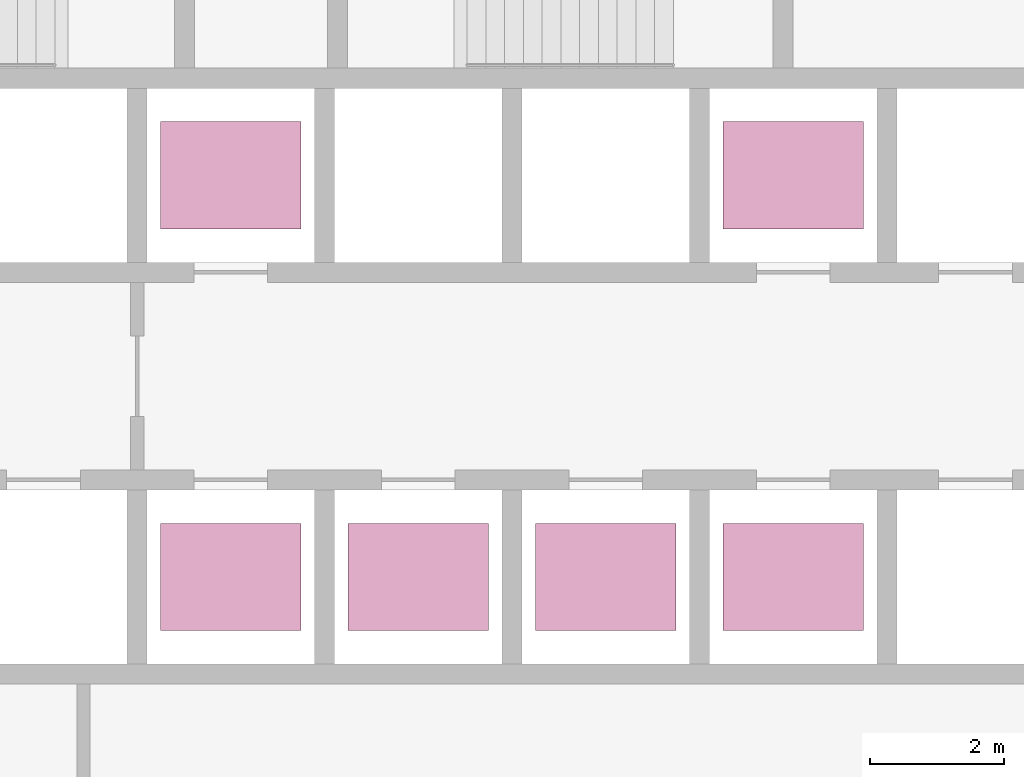
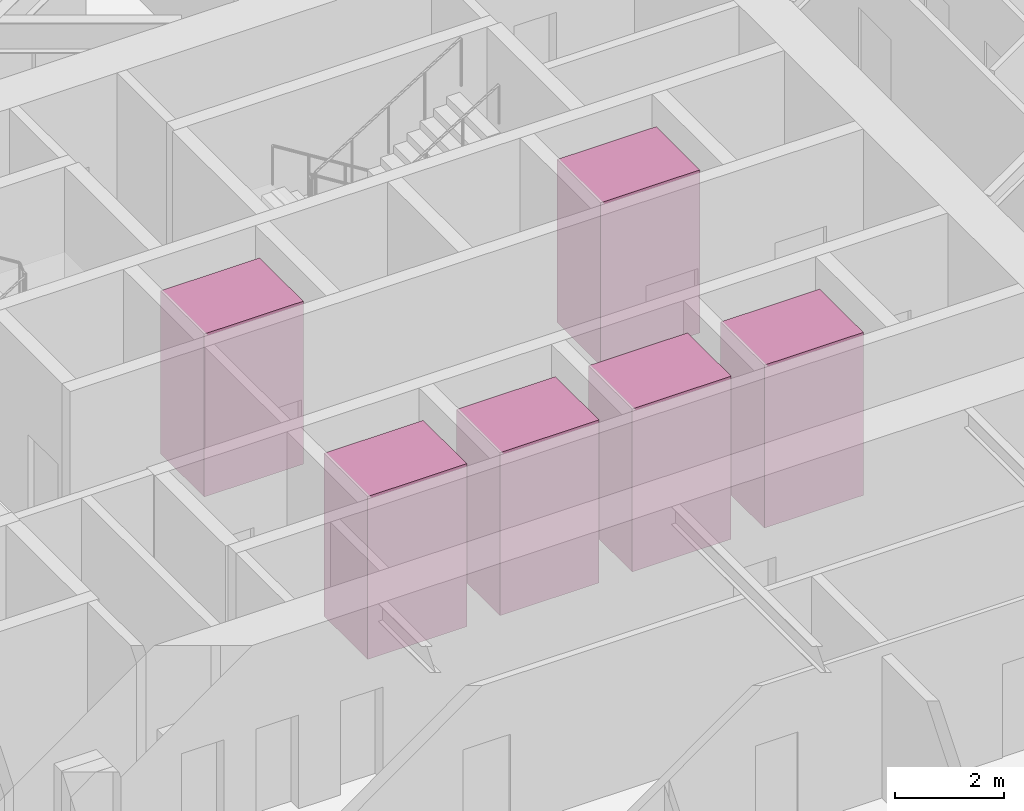
# One storey, part 25 of 26: 6 transport elements.
"""IFC4 building model written with IfcOpenShell, lengths in metres."""

import ifcopenshell
import ifcopenshell.guid

model = None  # the IFC model being written
_history = None  # IfcOwnerHistory: only IFC2X3 demands one
_inside = {}  # id of a spatial element -> (the spatial element, [elements in it])
_under = {}  # id of a project, library or spatial element -> (it, [spatial elements below it])
_declared = {}  # id of a project -> (the project, [libraries it declares])
_typed = {}  # id of a type object -> (the type object, [elements of that type])
_made_of = {}  # id of a material, layer set ... -> (it, [elements and type objects made of it])


def new_model(schema):
    """Start an empty IFC model of exactly this schema.

    Asked for "IFC4X3", IfcOpenShell would pick the latest addendum, in which some entities
    have other attributes; the version numbers below select the first issue.
    IFC2X3 requires an IfcOwnerHistory on every rooted entity: one is made here for all.
    """
    global model, _history
    if schema == "IFC4X3":
        model = ifcopenshell.file(schema_version=(4, 3, 0, 0))
    else:
        model = ifcopenshell.file(schema=schema)
    _inside.clear()
    _under.clear()
    _declared.clear()
    _typed.clear()
    _made_of.clear()
    _history = None
    if model.schema == "IFC2X3":
        org = make("IfcOrganization", Name="unknown")
        user = make(
            "IfcPersonAndOrganization",
            ThePerson=make("IfcPerson", FamilyName="unknown"),
            TheOrganization=org,
        )
        app = make(
            "IfcApplication",
            ApplicationDeveloper=org,
            Version="unknown",
            ApplicationFullName="unknown",
            ApplicationIdentifier="unknown",
        )
        _history = make(
            "IfcOwnerHistory",
            OwningUser=user,
            OwningApplication=app,
            ChangeAction="ADDED",
            CreationDate=0,
        )
    return model


def make(cls, **values):
    """One entity of the class cls with the attributes given. An attribute that is None is left unset."""
    return model.create_entity(
        cls, **{name: value for name, value in values.items() if value is not None}
    )


def rooted(cls, **values):
    """An entity with a GlobalId (a new one), such as an element, a storey or a relation."""
    return make(cls, GlobalId=ifcopenshell.guid.new(), OwnerHistory=_history, **values)


def si_unit(unit_type, name, prefix=None):
    """IfcSIUnit, for example si_unit("LENGTHUNIT", "METRE", prefix="MILLI")."""
    return make("IfcSIUnit", UnitType=unit_type, Prefix=prefix, Name=name)


def assignment(units):
    """IfcUnitAssignment: the units of a project."""
    return None if units is None else make("IfcUnitAssignment", Units=units)


def point(xyz):
    """IfcCartesianPoint."""
    return None if xyz is None else make("IfcCartesianPoint", Coordinates=xyz)


def direction(xyz):
    """IfcDirection."""
    return None if xyz is None else make("IfcDirection", DirectionRatios=xyz)


def frame(location, z_axis=None, x_axis=None):
    """IfcAxis2Placement3D, a coordinate frame: its origin and axes. An axis left out is left unset."""
    return make(
        "IfcAxis2Placement3D",
        Location=point(location),
        Axis=direction(z_axis),
        RefDirection=direction(x_axis),
    )


def frame_2d(location, x_axis=None):
    """IfcAxis2Placement2D, a coordinate frame in the plane: its origin and x axis."""
    return make(
        "IfcAxis2Placement2D", Location=point(location), RefDirection=direction(x_axis)
    )


def origin():
    """The frame at (0, 0, 0) with its axes left unset."""
    return frame((0.0, 0.0, 0.0))


def origin_2d():
    """The frame at (0, 0) in the plane with its x axis left unset."""
    return frame_2d((0.0, 0.0))


def place(relative_to, where):
    """IfcLocalPlacement: puts the frame where relative to a parent placement (None: the world)."""
    return make(
        "IfcLocalPlacement", PlacementRelTo=relative_to, RelativePlacement=where
    )


def context(
    kind, dimensions, precision=None, world=None, true_north=None, identifier=None
):
    """IfcGeometricRepresentationContext, for example the 3D "Model" context."""
    return make(
        "IfcGeometricRepresentationContext",
        ContextIdentifier=identifier,
        ContextType=kind,
        CoordinateSpaceDimension=dimensions,
        Precision=precision,
        WorldCoordinateSystem=world,
        TrueNorth=true_north,
    )


def subcontext(parent, identifier, kind, view, scale=None):
    """IfcGeometricRepresentationSubContext, for example "Body" below "Model"."""
    return make(
        "IfcGeometricRepresentationSubContext",
        ContextIdentifier=identifier,
        ContextType=kind,
        ParentContext=parent,
        TargetScale=scale,
        TargetView=view,
    )


def project(units=None, contexts=None):
    """IfcProject with its units and contexts."""
    return rooted(
        "IfcProject",
        Name="project",
        RepresentationContexts=contexts,
        UnitsInContext=assignment(units),
    )


def spatial(cls, under=None, at=None, **own):
    """A site, building, storey or space (cls), placed at a placement, below another one or the project."""
    s = rooted(cls, ObjectPlacement=at, **own)
    if under is not None:
        _under.setdefault(under.id(), (under, []))[1].append(s)
    return s


def profile(cls, at=None, kind="AREA", **sizes):
    """A parametric profile (cls). Its sizes go by their IFC names, for example OverallWidth=200.0."""
    return make(cls, ProfileType=kind, Position=at, **sizes)


def rectangle(**sizes):
    """IfcRectangleProfileDef."""
    return profile("IfcRectangleProfileDef", **sizes)


def extrude(swept, where, along, depth):
    """IfcExtrudedAreaSolid: the profile swept, set in the frame where, extruded along a direction by depth."""
    return make(
        "IfcExtrudedAreaSolid",
        SweptArea=swept,
        Position=where,
        ExtrudedDirection=direction(along),
        Depth=depth,
    )


def shape(context_of_items, identifier, shape_type, items):
    """IfcShapeRepresentation: the items that make up one representation, for example the "Body"."""
    return make(
        "IfcShapeRepresentation",
        ContextOfItems=context_of_items,
        RepresentationIdentifier=identifier,
        RepresentationType=shape_type,
        Items=items,
    )


def material(Name=None, Category=None):
    """IfcMaterial."""
    return make("IfcMaterial", Name=Name, Category=Category)


def made_of(thing, what):
    """Note that an element or type object is made of a material, layer set ...; save() writes the relation."""
    if what is not None:
        _made_of.setdefault(what.id(), (what, []))[1].append(thing)
    return thing


def type_object(cls, material=None, **own):
    """A type object (cls), such as IfcWallType, which elements share."""
    return made_of(rooted(cls, **own), material)


def element(
    cls,
    number,
    at=None,
    inside=None,
    cuts=None,
    type_object=None,
    material=None,
    context=None,
    identifier="Body",
    shape_type=None,
    held_by="IfcProductDefinitionShape",
    body=None,
    shapes=None,
    **own,
):
    """One element of the class cls, such as IfcWall. Its Tag is "e" and its number.

    at: its placement. inside: the storey or other place that contains it. cuts: it is an
    opening in that element (IfcRelVoidsElement). A single representation is given by context,
    identifier, shape_type and body (its items); several are given by shapes. held_by: the class
    of the entity that holds the representations. save() writes the other relations.
    """
    e = rooted(cls, Tag="e%d" % number, ObjectPlacement=at, **own)
    if body is not None:
        shapes = [shape(context, identifier, shape_type, body)]
    if shapes is not None:
        e.Representation = make(held_by, Representations=shapes)
    if inside is not None:
        _inside.setdefault(inside.id(), (inside, []))[1].append(e)
    if cuts is not None:
        rooted(
            "IfcRelVoidsElement", RelatingBuildingElement=cuts, RelatedOpeningElement=e
        )
    if type_object is not None:
        _typed.setdefault(type_object.id(), (type_object, []))[1].append(e)
    return made_of(e, material)


def aggregate(whole, parts):
    """IfcRelAggregates: a whole, such as a stair, and the parts it consists of."""
    return rooted("IfcRelAggregates", RelatingObject=whole, RelatedObjects=parts)


def save(model, path):
    """Write the relations noted so far, then the file.

    IfcRelAggregates (storeys below a building ...), IfcRelContainedInSpatialStructure (elements
    in a storey), IfcRelDefinesByType, IfcRelAssociatesMaterial and IfcRelDeclares: one each for
    every whole, place, type object, material and project.
    """
    for whole, parts in _under.values():
        aggregate(whole, parts)
    for where, things in _inside.values():
        rooted(
            "IfcRelContainedInSpatialStructure",
            RelatedElements=things,
            RelatingStructure=where,
        )
    for kind, things in _typed.values():
        rooted("IfcRelDefinesByType", RelatedObjects=things, RelatingType=kind)
    for what, things in _made_of.values():
        rooted("IfcRelAssociatesMaterial", RelatedObjects=things, RelatingMaterial=what)
    for by, libraries in _declared.values():
        rooted("IfcRelDeclares", RelatingContext=by, RelatedDefinitions=libraries)
    model.write(path)


model = new_model("IFC4")

# Units and contexts
model_context = context("Model", 3, precision=1e-05, world=origin(), true_north=direction((0.0, 1.0)))
body_context = subcontext(model_context, "Body", "Model", "MODEL_VIEW")
ifc_project = project(units=[si_unit("LENGTHUNIT", "METRE"), si_unit("AREAUNIT", "SQUARE_METRE"), si_unit("VOLUMEUNIT", "CUBIC_METRE"), si_unit("PLANEANGLEUNIT", "RADIAN"), si_unit("MASSUNIT", "GRAM", prefix="KILO")], contexts=[model_context])

# Site, building, storey
site_placement = place(None, origin())
site = spatial("IfcSite", under=ifc_project, at=site_placement, CompositionType="ELEMENT")
building_placement = place(site_placement, origin())
building = spatial("IfcBuilding", under=site, at=building_placement, Name="Firuza Gate Tower and Library", CompositionType="ELEMENT")
storey_placement = place(building_placement, frame((0.0, 0.0, 115.60009765625)))
storey = spatial("IfcBuildingStorey", under=building, at=storey_placement, Name="L26", CompositionType="ELEMENT", Elevation=115.60009765625)

# Transport elements
ifc_material = material(Name="Stainless steel and glass", Category="steel")
transport_element_type = type_object("IfcTransportElementType", Name="Low-rise lift car 2100x1600", PredefinedType="ELEVATOR", material=ifc_material)
for number, where, z_axis, x_axis, name in (
    (1, (74.64990234375, 70.300048828125, 0.0), (0.0, 0.0, 1.0), (1.0, 0.0, 0.0), "Low-rise lift LR1"),
    (2, (77.449951171875, 70.300048828125, 0.0), (0.0, 0.0, 1.0), (1.0, 0.0, 0.0), "Low-rise lift LR2"),
    (3, (80.25, 70.300048828125, 0.0), (0.0, 0.0, 1.0), (1.0, 0.0, 0.0), "Low-rise lift LR3"),
    (4, (74.64990234375, 76.300048828125, 0.0), (0.0, 0.0, 1.0), (1.0, 0.0, 0.0), "Low-rise lift LR4"),
    (5, (83.050048828125, 70.300048828125, 0.0), (0.0, 0.0, 1.0), (1.0, 0.0, 0.0), "Low-rise lift LR5"),
    (6, (83.050048828125, 76.300048828125, 0.0), (0.0, 0.0, 1.0), (1.0, 0.0, 0.0), "Low-rise lift LR6"),
):
    element("IfcTransportElement", number, at=place(storey_placement, frame(where, z_axis=z_axis, x_axis=x_axis)), inside=storey, type_object=transport_element_type, Name=name, PredefinedType="ELEVATOR", context=body_context, shape_type="SweptSolid", body=[
        extrude(rectangle(XDim=2.10009765625, YDim=1.60009765625, at=origin_2d()), origin(), (0.0, 0.0, 1.0), 3.64990234375),
    ])

save(model, "model.ifc")
